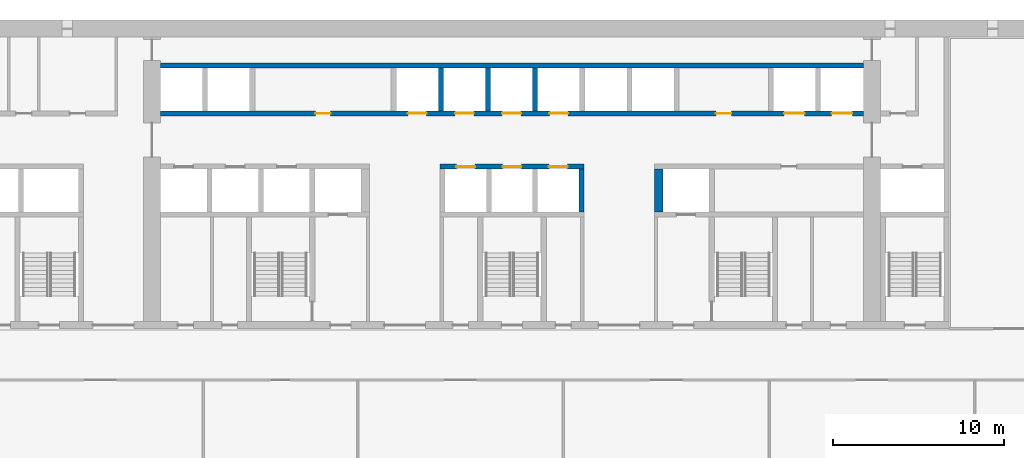
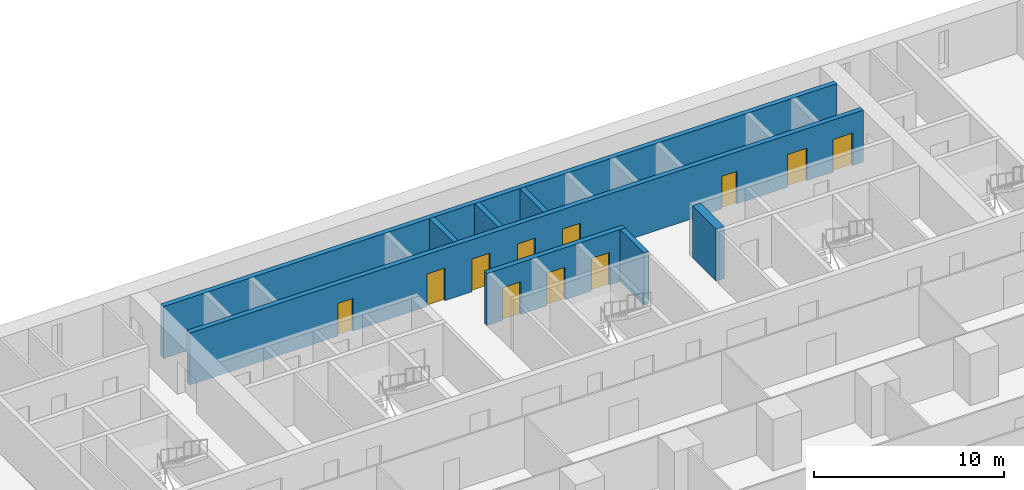
# One storey, part 11 of 18: 11 doors, 8 walls, 11 openings.
"""IFC4 building model written with IfcOpenShell, lengths in metres."""

from ifc_helpers import new_model, si_unit, direction, frame, frame_2d, origin, place, context, subcontext, project, spatial, rectangle, extrude, material, layer, layer_set, type_object, element, fill, save


model = new_model("IFC4")

# Units and contexts
model_context = context("Model", 3, precision=1e-05, world=origin(), true_north=direction((0.0, 1.0)))
body_context = subcontext(model_context, "Body", "Model", "MODEL_VIEW")
ifc_project = project(units=[si_unit("LENGTHUNIT", "METRE"), si_unit("AREAUNIT", "SQUARE_METRE"), si_unit("VOLUMEUNIT", "CUBIC_METRE"), si_unit("PLANEANGLEUNIT", "RADIAN"), si_unit("MASSUNIT", "GRAM", prefix="KILO")], contexts=[model_context])

# Site, building, storey
site_placement = place(None, origin())
site = spatial("IfcSite", under=ifc_project, at=site_placement, CompositionType="ELEMENT")
building_placement = place(site_placement, origin())
building = spatial("IfcBuilding", under=site, at=building_placement, Name="Calvaro Tower", CompositionType="ELEMENT")
storey_placement = place(building_placement, frame((0.0, 0.0, 41.25)))
storey = spatial("IfcBuildingStorey", under=building, at=storey_placement, Name="L09", CompositionType="ELEMENT", Elevation=41.25)

# Wall, openings, doors
ifc_material_1 = material(Name="Concrete C80/95", Category="concrete")
ifc_layer_1 = layer(ifc_material_1, 0.300048828125)
ifc_layer_set_1 = layer_set([ifc_layer_1], Name="Concrete C80/95")
wall_type_1 = type_object("IfcWallType", Name="Core wall C80/95 300", PredefinedType="SHEAR", material=ifc_layer_set_1)
wall_1_placement = place(storey_placement, frame((34.800048828125, 37.449951171875, 0.0), z_axis=(0.0, 0.0, 1.0), x_axis=(1.0, 0.0, 0.0)))
wall_1 = element("IfcWall", 1, at=wall_1_placement, inside=storey, type_object=wall_type_1, Name="Core wall, lift shaft", PredefinedType="SHEAR", context=body_context, shape_type="SweptSolid", body=[
    extrude(rectangle(XDim=8.39990234375, YDim=0.300048828125, at=frame_2d((4.199951171875, 0.0))), origin(), (0.0, 0.0, 1.0), 3.35009765625),
])
opening_1_placement = place(wall_1_placement, frame((0.949951171875, 0.0, 0.0)))
opening_1 = element("IfcOpeningElement", 2, at=opening_1_placement, cuts=wall_1, Name="Opening LR4", PredefinedType="OPENING", context=body_context, shape_type="SweptSolid", body=[
    extrude(rectangle(XDim=1.10009765625, YDim=2.10009765625, at=frame_2d((0.550048828125, 1.050048828125))), frame((0.0, 0.159912109375, 0.0), z_axis=(0.0, -1.0, 0.0), x_axis=(1.0, 0.0, 0.0)), (0.0, 0.0, 1.0), 0.320068359375),
])
opening_2_placement = place(wall_1_placement, frame((3.64990234375, 0.0, 0.0)))
opening_2 = element("IfcOpeningElement", 3, at=opening_2_placement, cuts=wall_1, Name="Opening LR5", PredefinedType="OPENING", context=body_context, shape_type="SweptSolid", body=[
    extrude(rectangle(XDim=1.10009765625, YDim=2.10009765625, at=frame_2d((0.550048828125, 1.050048828125))), frame((0.0, 0.159912109375, 0.0), z_axis=(0.0, -1.0, 0.0), x_axis=(1.0, 0.0, 0.0)), (0.0, 0.0, 1.0), 0.320068359375),
])
opening_3_placement = place(wall_1_placement, frame((6.35009765625, 0.0, 0.0)))
opening_3 = element("IfcOpeningElement", 4, at=opening_3_placement, cuts=wall_1, Name="Opening LR6", PredefinedType="OPENING", context=body_context, shape_type="SweptSolid", body=[
    extrude(rectangle(XDim=1.10009765625, YDim=2.10009765625, at=frame_2d((0.550048828125, 1.050048828125))), frame((0.0, 0.159912109375, 0.0), z_axis=(0.0, -1.0, 0.0), x_axis=(1.0, 0.0, 0.0)), (0.0, 0.0, 1.0), 0.320068359375),
])
ifc_material_2 = material(Name="Stainless steel", Category="steel")
door_type_1 = type_object("IfcDoorType", Name="Landing door 1100 E 60", OperationType="SLIDING_TO_LEFT", PredefinedType="DOOR", material=ifc_material_2)
door_1_placement = place(opening_1_placement, origin())
door_1 = element("IfcDoor", 5, at=door_1_placement, inside=storey, type_object=door_type_1, Name="Landing door LR4", OperationType="SLIDING_TO_LEFT", OverallHeight=2.10009765625, OverallWidth=1.10009765625, PredefinedType="DOOR", context=body_context, shape_type="SweptSolid", body=[
    extrude(rectangle(XDim=1.10009765625, YDim=2.10009765625, at=frame_2d((0.550048828125, 1.050048828125))), frame((0.0, 0.02490234375, 0.0), z_axis=(0.0, -1.0, 0.0), x_axis=(1.0, 0.0, 0.0)), (0.0, 0.0, 1.0), 0.050048828125),
])
fill(opening_1, door_1)
door_2_placement = place(opening_2_placement, origin())
door_2 = element("IfcDoor", 6, at=door_2_placement, inside=storey, type_object=door_type_1, Name="Landing door LR5", OperationType="SLIDING_TO_LEFT", OverallHeight=2.10009765625, OverallWidth=1.10009765625, PredefinedType="DOOR", context=body_context, shape_type="SweptSolid", body=[
    extrude(rectangle(XDim=1.10009765625, YDim=2.10009765625, at=frame_2d((0.550048828125, 1.050048828125))), frame((0.0, 0.02490234375, 0.0), z_axis=(0.0, -1.0, 0.0), x_axis=(1.0, 0.0, 0.0)), (0.0, 0.0, 1.0), 0.050048828125),
])
fill(opening_2, door_2)
door_3_placement = place(opening_3_placement, origin())
door_3 = element("IfcDoor", 7, at=door_3_placement, inside=storey, type_object=door_type_1, Name="Landing door LR6", OperationType="SLIDING_TO_LEFT", OverallHeight=2.10009765625, OverallWidth=1.10009765625, PredefinedType="DOOR", context=body_context, shape_type="SweptSolid", body=[
    extrude(rectangle(XDim=1.10009765625, YDim=2.10009765625, at=frame_2d((0.550048828125, 1.050048828125))), frame((0.0, 0.02490234375, 0.0), z_axis=(0.0, -1.0, 0.0), x_axis=(1.0, 0.0, 0.0)), (0.0, 0.0, 1.0), 0.050048828125),
])
fill(opening_3, door_3)

# Wall
wall_2_placement = place(storey_placement, frame((43.050048828125, 34.800048828125, 0.0), z_axis=(0.0, 0.0, 1.0), x_axis=(0.0, 1.0, 0.0)))
element("IfcWall", 8, at=wall_2_placement, inside=storey, type_object=wall_type_1, Name="Core wall, lift shaft", PredefinedType="SHEAR", context=body_context, shape_type="SweptSolid", body=[
    extrude(rectangle(XDim=2.5, YDim=0.300048828125, at=frame_2d((1.25, 0.0))), origin(), (0.0, 0.0, 1.0), 3.35009765625),
])

# Wall, openings, doors
wall_3_placement = place(storey_placement, frame((18.5, 40.550048828125, 0.0), z_axis=(0.0, 0.0, 1.0), x_axis=(1.0, 0.0, 0.0)))
wall_3 = element("IfcWall", 9, at=wall_3_placement, inside=storey, type_object=wall_type_1, Name="Core wall, bay", PredefinedType="SHEAR", context=body_context, shape_type="SweptSolid", body=[
    extrude(rectangle(XDim=41.0, YDim=0.300048828125, at=frame_2d((20.5, 0.0))), origin(), (0.0, 0.0, 1.0), 3.35009765625),
])
opening_4_placement = place(wall_3_placement, frame((9.02490234375, 0.0, 0.0)))
opening_4 = element("IfcOpeningElement", 10, at=opening_4_placement, cuts=wall_3, Name="Opening RD9E", PredefinedType="OPENING", context=body_context, shape_type="SweptSolid", body=[
    extrude(rectangle(XDim=0.89990234375, YDim=2.10009765625, at=frame_2d((0.449951171875, 1.050048828125))), frame((0.0, 0.159912109375, 0.0), z_axis=(0.0, -1.0, 0.0), x_axis=(1.0, 0.0, 0.0)), (0.0, 0.0, 1.0), 0.320068359375),
])
opening_5_placement = place(wall_3_placement, frame((32.39990234375, 0.0, 0.0)))
opening_5 = element("IfcOpeningElement", 11, at=opening_5_placement, cuts=wall_3, Name="Opening RD9E", PredefinedType="OPENING", context=body_context, shape_type="SweptSolid", body=[
    extrude(rectangle(XDim=0.89990234375, YDim=2.10009765625, at=frame_2d((0.449951171875, 1.050048828125))), frame((0.0, 0.159912109375, 0.0), z_axis=(0.0, -1.0, 0.0), x_axis=(1.0, 0.0, 0.0)), (0.0, 0.0, 1.0), 0.320068359375),
])
opening_6_placement = place(wall_3_placement, frame((14.425048828125, 0.0, 0.0)))
opening_6 = element("IfcOpeningElement", 12, at=opening_6_placement, cuts=wall_3, Name="Opening LR7", PredefinedType="OPENING", context=body_context, shape_type="SweptSolid", body=[
    extrude(rectangle(XDim=1.10009765625, YDim=2.10009765625, at=frame_2d((0.550048828125, 1.050048828125))), frame((0.0, 0.159912109375, 0.0), z_axis=(0.0, -1.0, 0.0), x_axis=(1.0, 0.0, 0.0)), (0.0, 0.0, 1.0), 0.320068359375),
])
opening_7_placement = place(wall_3_placement, frame((17.175048828125, 0.0, 0.0)))
opening_7 = element("IfcOpeningElement", 13, at=opening_7_placement, cuts=wall_3, Name="Opening LR8", PredefinedType="OPENING", context=body_context, shape_type="SweptSolid", body=[
    extrude(rectangle(XDim=1.10009765625, YDim=2.10009765625, at=frame_2d((0.550048828125, 1.050048828125))), frame((0.0, 0.159912109375, 0.0), z_axis=(0.0, -1.0, 0.0), x_axis=(1.0, 0.0, 0.0)), (0.0, 0.0, 1.0), 0.320068359375),
])
opening_8_placement = place(wall_3_placement, frame((19.925048828125, 0.0, 0.0)))
opening_8 = element("IfcOpeningElement", 14, at=opening_8_placement, cuts=wall_3, Name="Opening LR9", PredefinedType="OPENING", context=body_context, shape_type="SweptSolid", body=[
    extrude(rectangle(XDim=1.10009765625, YDim=2.10009765625, at=frame_2d((0.550048828125, 1.050048828125))), frame((0.0, 0.159912109375, 0.0), z_axis=(0.0, -1.0, 0.0), x_axis=(1.0, 0.0, 0.0)), (0.0, 0.0, 1.0), 0.320068359375),
])
opening_9_placement = place(wall_3_placement, frame((22.675048828125, 0.0, 0.0)))
opening_9 = element("IfcOpeningElement", 15, at=opening_9_placement, cuts=wall_3, Name="Opening LR10", PredefinedType="OPENING", context=body_context, shape_type="SweptSolid", body=[
    extrude(rectangle(XDim=1.10009765625, YDim=2.10009765625, at=frame_2d((0.550048828125, 1.050048828125))), frame((0.0, 0.159912109375, 0.0), z_axis=(0.0, -1.0, 0.0), x_axis=(1.0, 0.0, 0.0)), (0.0, 0.0, 1.0), 0.320068359375),
])
opening_10_placement = place(wall_3_placement, frame((36.375, 0.0, 0.0)))
opening_10 = element("IfcOpeningElement", 16, at=opening_10_placement, cuts=wall_3, Name="Opening SV1", PredefinedType="OPENING", context=body_context, shape_type="SweptSolid", body=[
    extrude(rectangle(XDim=1.199951171875, YDim=2.10009765625, at=frame_2d((0.60009765625, 1.050048828125))), frame((0.0, 0.159912109375, 0.0), z_axis=(0.0, -1.0, 0.0), x_axis=(1.0, 0.0, 0.0)), (0.0, 0.0, 1.0), 0.320068359375),
])
opening_11_placement = place(wall_3_placement, frame((39.14990234375, 0.0, 0.0)))
opening_11 = element("IfcOpeningElement", 17, at=opening_11_placement, cuts=wall_3, Name="Opening SV2", PredefinedType="OPENING", context=body_context, shape_type="SweptSolid", body=[
    extrude(rectangle(XDim=1.199951171875, YDim=2.10009765625, at=frame_2d((0.60009765625, 1.050048828125))), frame((0.0, 0.159912109375, 0.0), z_axis=(0.0, -1.0, 0.0), x_axis=(1.0, 0.0, 0.0)), (0.0, 0.0, 1.0), 0.320068359375),
])
door_4_placement = place(opening_6_placement, origin())
door_4 = element("IfcDoor", 18, at=door_4_placement, inside=storey, type_object=door_type_1, Name="Landing door LR7", OperationType="SLIDING_TO_LEFT", OverallHeight=2.10009765625, OverallWidth=1.10009765625, PredefinedType="DOOR", context=body_context, shape_type="SweptSolid", body=[
    extrude(rectangle(XDim=1.10009765625, YDim=2.10009765625, at=frame_2d((0.550048828125, 1.050048828125))), frame((0.0, 0.02490234375, 0.0), z_axis=(0.0, -1.0, 0.0), x_axis=(1.0, 0.0, 0.0)), (0.0, 0.0, 1.0), 0.050048828125),
])
fill(opening_6, door_4)
door_5_placement = place(opening_7_placement, origin())
door_5 = element("IfcDoor", 19, at=door_5_placement, inside=storey, type_object=door_type_1, Name="Landing door LR8", OperationType="SLIDING_TO_LEFT", OverallHeight=2.10009765625, OverallWidth=1.10009765625, PredefinedType="DOOR", context=body_context, shape_type="SweptSolid", body=[
    extrude(rectangle(XDim=1.10009765625, YDim=2.10009765625, at=frame_2d((0.550048828125, 1.050048828125))), frame((0.0, 0.02490234375, 0.0), z_axis=(0.0, -1.0, 0.0), x_axis=(1.0, 0.0, 0.0)), (0.0, 0.0, 1.0), 0.050048828125),
])
fill(opening_7, door_5)
door_6_placement = place(opening_8_placement, origin())
door_6 = element("IfcDoor", 20, at=door_6_placement, inside=storey, type_object=door_type_1, Name="Landing door LR9", OperationType="SLIDING_TO_LEFT", OverallHeight=2.10009765625, OverallWidth=1.10009765625, PredefinedType="DOOR", context=body_context, shape_type="SweptSolid", body=[
    extrude(rectangle(XDim=1.10009765625, YDim=2.10009765625, at=frame_2d((0.550048828125, 1.050048828125))), frame((0.0, 0.02490234375, 0.0), z_axis=(0.0, -1.0, 0.0), x_axis=(1.0, 0.0, 0.0)), (0.0, 0.0, 1.0), 0.050048828125),
])
fill(opening_8, door_6)
door_7_placement = place(opening_9_placement, origin())
door_7 = element("IfcDoor", 21, at=door_7_placement, inside=storey, type_object=door_type_1, Name="Landing door LR10", OperationType="SLIDING_TO_LEFT", OverallHeight=2.10009765625, OverallWidth=1.10009765625, PredefinedType="DOOR", context=body_context, shape_type="SweptSolid", body=[
    extrude(rectangle(XDim=1.10009765625, YDim=2.10009765625, at=frame_2d((0.550048828125, 1.050048828125))), frame((0.0, 0.02490234375, 0.0), z_axis=(0.0, -1.0, 0.0), x_axis=(1.0, 0.0, 0.0)), (0.0, 0.0, 1.0), 0.050048828125),
])
fill(opening_9, door_7)
ifc_material_3 = material(Name="Stainless steel", Category="steel")
door_type_2 = type_object("IfcDoorType", Name="Landing door 1200 E 60", OperationType="SLIDING_TO_LEFT", PredefinedType="DOOR", material=ifc_material_3)
door_8_placement = place(opening_10_placement, origin())
door_8 = element("IfcDoor", 22, at=door_8_placement, inside=storey, type_object=door_type_2, Name="Landing door SV1", OperationType="SLIDING_TO_LEFT", OverallHeight=2.10009765625, OverallWidth=1.199951171875, PredefinedType="DOOR", context=body_context, shape_type="SweptSolid", body=[
    extrude(rectangle(XDim=1.199951171875, YDim=2.10009765625, at=frame_2d((0.60009765625, 1.050048828125))), frame((0.0, 0.02490234375, 0.0), z_axis=(0.0, -1.0, 0.0), x_axis=(1.0, 0.0, 0.0)), (0.0, 0.0, 1.0), 0.050048828125),
])
fill(opening_10, door_8)
door_9_placement = place(opening_11_placement, origin())
door_9 = element("IfcDoor", 23, at=door_9_placement, inside=storey, type_object=door_type_2, Name="Landing door SV2", OperationType="SLIDING_TO_LEFT", OverallHeight=2.10009765625, OverallWidth=1.199951171875, PredefinedType="DOOR", context=body_context, shape_type="SweptSolid", body=[
    extrude(rectangle(XDim=1.199951171875, YDim=2.10009765625, at=frame_2d((0.60009765625, 1.050048828125))), frame((0.0, 0.02490234375, 0.0), z_axis=(0.0, -1.0, 0.0), x_axis=(1.0, 0.0, 0.0)), (0.0, 0.0, 1.0), 0.050048828125),
])
fill(opening_11, door_9)
ifc_material_4 = material(Name="Steel door set", Category="steel")
door_type_3 = type_object("IfcDoorType", Name="Room door 900 FD60", OperationType="SINGLE_SWING_LEFT", PredefinedType="DOOR", material=ifc_material_4)
door_10_placement = place(opening_4_placement, origin())
door_10 = element("IfcDoor", 24, at=door_10_placement, inside=storey, type_object=door_type_3, Name="Room door", OperationType="SINGLE_SWING_RIGHT", OverallHeight=2.10009765625, OverallWidth=0.89990234375, PredefinedType="DOOR", context=body_context, shape_type="SweptSolid", body=[
    extrude(rectangle(XDim=0.89990234375, YDim=2.10009765625, at=frame_2d((0.449951171875, 1.050048828125))), frame((0.0, 0.02490234375, 0.0), z_axis=(0.0, -1.0, 0.0), x_axis=(1.0, 0.0, 0.0)), (0.0, 0.0, 1.0), 0.050048828125),
])
fill(opening_4, door_10)
door_11_placement = place(opening_5_placement, origin())
door_11 = element("IfcDoor", 25, at=door_11_placement, inside=storey, type_object=door_type_3, Name="Room door", OperationType="SINGLE_SWING_LEFT", OverallHeight=2.10009765625, OverallWidth=0.89990234375, PredefinedType="DOOR", context=body_context, shape_type="SweptSolid", body=[
    extrude(rectangle(XDim=0.89990234375, YDim=2.10009765625, at=frame_2d((0.449951171875, 1.050048828125))), frame((0.0, 0.02490234375, 0.0), z_axis=(0.0, -1.0, 0.0), x_axis=(1.0, 0.0, 0.0)), (0.0, 0.0, 1.0), 0.050048828125),
])
fill(opening_5, door_11)

# Walls
wall_4_placement = place(storey_placement, frame((18.5, 43.35009765625, 0.0), z_axis=(0.0, 0.0, 1.0), x_axis=(1.0, 0.0, 0.0)))
element("IfcWall", 26, at=wall_4_placement, inside=storey, type_object=wall_type_1, Name="Core wall, lift shaft", PredefinedType="SHEAR", context=body_context, shape_type="SweptSolid", body=[
    extrude(rectangle(XDim=41.0, YDim=0.300048828125, at=frame_2d((20.5, 0.0))), origin(), (0.0, 0.0, 1.0), 3.35009765625),
])
for number, where, z_axis, x_axis, name in (
    (27, (34.85009765625, 40.699951171875, 0.0), (0.0, 0.0, 1.0), (0.0, 1.0, 0.0), "Core wall, lift shaft"),
    (28, (37.60009765625, 40.699951171875, 0.0), (0.0, 0.0, 1.0), (0.0, 1.0, 0.0), "Core wall, lift shaft"),
    (29, (40.35009765625, 40.699951171875, 0.0), (0.0, 0.0, 1.0), (0.0, 1.0, 0.0), "Core wall, lift shaft"),
):
    element("IfcWall", number, at=place(storey_placement, frame(where, z_axis=z_axis, x_axis=x_axis)), inside=storey, type_object=wall_type_1, Name=name, PredefinedType="SHEAR", context=body_context, shape_type="SweptSolid", body=[
        extrude(rectangle(XDim=2.5, YDim=0.300048828125, at=frame_2d((1.25, 0.0))), origin(), (0.0, 0.0, 1.0), 3.35009765625),
    ])
ifc_material_5 = material(Name="Concrete C80/95", Category="concrete")
ifc_layer_2 = layer(ifc_material_5, 0.5)
ifc_layer_set_2 = layer_set([ifc_layer_2], Name="Concrete C80/95")
wall_type_2 = type_object("IfcWallType", Name="Core wall C80/95 500", PredefinedType="SHEAR", material=ifc_layer_set_2)
wall_5_placement = place(storey_placement, frame((47.550048828125, 34.800048828125, 0.0), z_axis=(0.0, 0.0, 1.0), x_axis=(0.0, 1.0, 0.0)))
element("IfcWall", 30, at=wall_5_placement, inside=storey, type_object=wall_type_2, Name="Core wall, lift shaft", PredefinedType="SHEAR", context=body_context, shape_type="SweptSolid", body=[
    extrude(rectangle(XDim=2.5, YDim=0.5, at=frame_2d((1.25, 0.0))), origin(), (0.0, 0.0, 1.0), 3.35009765625),
])

save(model, "model.ifc")
